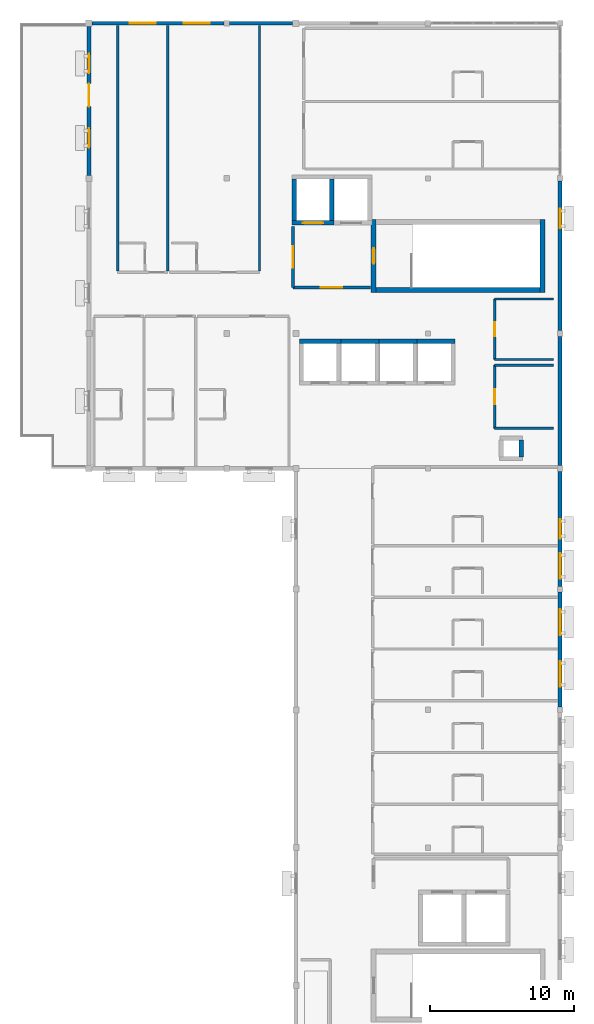
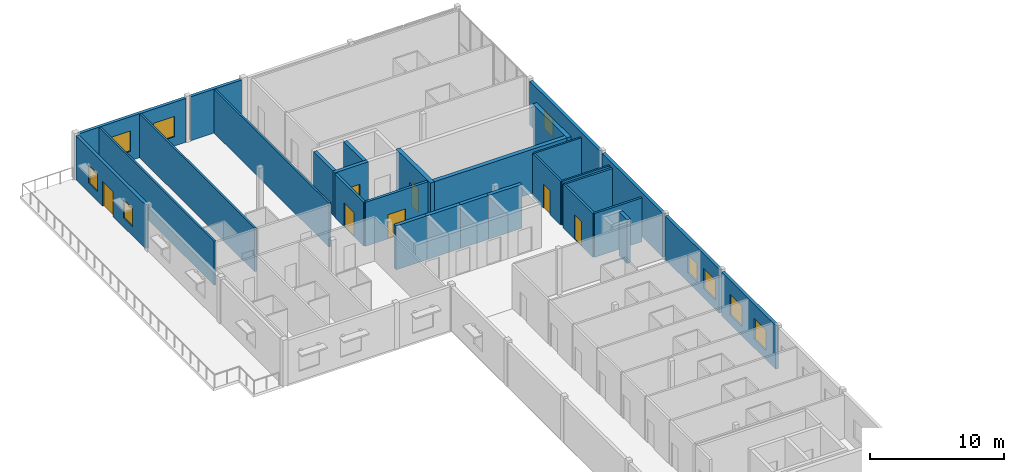
# One storey, part 7 of 9: 29 walls, 9 windows, 7 doors, 16 openings.
"""IFC4 building model written with IfcOpenShell, lengths in metres."""

import ifcopenshell
import ifcopenshell.guid

model = None  # the IFC model being written
_history = None  # IfcOwnerHistory: only IFC2X3 demands one
_inside = {}  # id of a spatial element -> (the spatial element, [elements in it])
_under = {}  # id of a project, library or spatial element -> (it, [spatial elements below it])
_declared = {}  # id of a project -> (the project, [libraries it declares])
_typed = {}  # id of a type object -> (the type object, [elements of that type])
_made_of = {}  # id of a material, layer set ... -> (it, [elements and type objects made of it])


def new_model(schema):
    """Start an empty IFC model of exactly this schema.

    Asked for "IFC4X3", IfcOpenShell would pick the latest addendum, in which some entities
    have other attributes; the version numbers below select the first issue.
    IFC2X3 requires an IfcOwnerHistory on every rooted entity: one is made here for all.
    """
    global model, _history
    if schema == "IFC4X3":
        model = ifcopenshell.file(schema_version=(4, 3, 0, 0))
    else:
        model = ifcopenshell.file(schema=schema)
    _inside.clear()
    _under.clear()
    _declared.clear()
    _typed.clear()
    _made_of.clear()
    _history = None
    if model.schema == "IFC2X3":
        org = make("IfcOrganization", Name="unknown")
        user = make(
            "IfcPersonAndOrganization",
            ThePerson=make("IfcPerson", FamilyName="unknown"),
            TheOrganization=org,
        )
        app = make(
            "IfcApplication",
            ApplicationDeveloper=org,
            Version="unknown",
            ApplicationFullName="unknown",
            ApplicationIdentifier="unknown",
        )
        _history = make(
            "IfcOwnerHistory",
            OwningUser=user,
            OwningApplication=app,
            ChangeAction="ADDED",
            CreationDate=0,
        )
    return model


def make(cls, **values):
    """One entity of the class cls with the attributes given. An attribute that is None is left unset."""
    return model.create_entity(
        cls, **{name: value for name, value in values.items() if value is not None}
    )


def rooted(cls, **values):
    """An entity with a GlobalId (a new one), such as an element, a storey or a relation."""
    return make(cls, GlobalId=ifcopenshell.guid.new(), OwnerHistory=_history, **values)


def si_unit(unit_type, name, prefix=None):
    """IfcSIUnit, for example si_unit("LENGTHUNIT", "METRE", prefix="MILLI")."""
    return make("IfcSIUnit", UnitType=unit_type, Prefix=prefix, Name=name)


def assignment(units):
    """IfcUnitAssignment: the units of a project."""
    return None if units is None else make("IfcUnitAssignment", Units=units)


def point(xyz):
    """IfcCartesianPoint."""
    return None if xyz is None else make("IfcCartesianPoint", Coordinates=xyz)


def direction(xyz):
    """IfcDirection."""
    return None if xyz is None else make("IfcDirection", DirectionRatios=xyz)


def frame(location, z_axis=None, x_axis=None):
    """IfcAxis2Placement3D, a coordinate frame: its origin and axes. An axis left out is left unset."""
    return make(
        "IfcAxis2Placement3D",
        Location=point(location),
        Axis=direction(z_axis),
        RefDirection=direction(x_axis),
    )


def frame_2d(location, x_axis=None):
    """IfcAxis2Placement2D, a coordinate frame in the plane: its origin and x axis."""
    return make(
        "IfcAxis2Placement2D", Location=point(location), RefDirection=direction(x_axis)
    )


def origin():
    """The frame at (0, 0, 0) with its axes left unset."""
    return frame((0.0, 0.0, 0.0))


def place(relative_to, where):
    """IfcLocalPlacement: puts the frame where relative to a parent placement (None: the world)."""
    return make(
        "IfcLocalPlacement", PlacementRelTo=relative_to, RelativePlacement=where
    )


def context(
    kind, dimensions, precision=None, world=None, true_north=None, identifier=None
):
    """IfcGeometricRepresentationContext, for example the 3D "Model" context."""
    return make(
        "IfcGeometricRepresentationContext",
        ContextIdentifier=identifier,
        ContextType=kind,
        CoordinateSpaceDimension=dimensions,
        Precision=precision,
        WorldCoordinateSystem=world,
        TrueNorth=true_north,
    )


def subcontext(parent, identifier, kind, view, scale=None):
    """IfcGeometricRepresentationSubContext, for example "Body" below "Model"."""
    return make(
        "IfcGeometricRepresentationSubContext",
        ContextIdentifier=identifier,
        ContextType=kind,
        ParentContext=parent,
        TargetScale=scale,
        TargetView=view,
    )


def project(units=None, contexts=None):
    """IfcProject with its units and contexts."""
    return rooted(
        "IfcProject",
        Name="project",
        RepresentationContexts=contexts,
        UnitsInContext=assignment(units),
    )


def spatial(cls, under=None, at=None, **own):
    """A site, building, storey or space (cls), placed at a placement, below another one or the project."""
    s = rooted(cls, ObjectPlacement=at, **own)
    if under is not None:
        _under.setdefault(under.id(), (under, []))[1].append(s)
    return s


def profile(cls, at=None, kind="AREA", **sizes):
    """A parametric profile (cls). Its sizes go by their IFC names, for example OverallWidth=200.0."""
    return make(cls, ProfileType=kind, Position=at, **sizes)


def rectangle(**sizes):
    """IfcRectangleProfileDef."""
    return profile("IfcRectangleProfileDef", **sizes)


def extrude(swept, where, along, depth):
    """IfcExtrudedAreaSolid: the profile swept, set in the frame where, extruded along a direction by depth."""
    return make(
        "IfcExtrudedAreaSolid",
        SweptArea=swept,
        Position=where,
        ExtrudedDirection=direction(along),
        Depth=depth,
    )


def shape(context_of_items, identifier, shape_type, items):
    """IfcShapeRepresentation: the items that make up one representation, for example the "Body"."""
    return make(
        "IfcShapeRepresentation",
        ContextOfItems=context_of_items,
        RepresentationIdentifier=identifier,
        RepresentationType=shape_type,
        Items=items,
    )


def material(Name=None, Category=None):
    """IfcMaterial."""
    return make("IfcMaterial", Name=Name, Category=Category)


def layer(
    of_material, thickness, ventilated=None, Name=None, Category=None, Priority=None
):
    """IfcMaterialLayer: one layer of a wall or slab, of a material (None: an air gap)."""
    return make(
        "IfcMaterialLayer",
        Material=of_material,
        LayerThickness=thickness,
        IsVentilated=ventilated,
        Name=Name,
        Category=Category,
        Priority=Priority,
    )


def layer_set(layers, Name=None):
    """IfcMaterialLayerSet."""
    return make("IfcMaterialLayerSet", MaterialLayers=layers, LayerSetName=Name)


def made_of(thing, what):
    """Note that an element or type object is made of a material, layer set ...; save() writes the relation."""
    if what is not None:
        _made_of.setdefault(what.id(), (what, []))[1].append(thing)
    return thing


def type_object(cls, material=None, **own):
    """A type object (cls), such as IfcWallType, which elements share."""
    return made_of(rooted(cls, **own), material)


def element(
    cls,
    number,
    at=None,
    inside=None,
    cuts=None,
    type_object=None,
    material=None,
    context=None,
    identifier="Body",
    shape_type=None,
    held_by="IfcProductDefinitionShape",
    body=None,
    shapes=None,
    **own,
):
    """One element of the class cls, such as IfcWall. Its Tag is "e" and its number.

    at: its placement. inside: the storey or other place that contains it. cuts: it is an
    opening in that element (IfcRelVoidsElement). A single representation is given by context,
    identifier, shape_type and body (its items); several are given by shapes. held_by: the class
    of the entity that holds the representations. save() writes the other relations.
    """
    e = rooted(cls, Tag="e%d" % number, ObjectPlacement=at, **own)
    if body is not None:
        shapes = [shape(context, identifier, shape_type, body)]
    if shapes is not None:
        e.Representation = make(held_by, Representations=shapes)
    if inside is not None:
        _inside.setdefault(inside.id(), (inside, []))[1].append(e)
    if cuts is not None:
        rooted(
            "IfcRelVoidsElement", RelatingBuildingElement=cuts, RelatedOpeningElement=e
        )
    if type_object is not None:
        _typed.setdefault(type_object.id(), (type_object, []))[1].append(e)
    return made_of(e, material)


def fill(opening, filler):
    """IfcRelFillsElement: the door or window that sits in an opening."""
    return rooted(
        "IfcRelFillsElement",
        RelatingOpeningElement=opening,
        RelatedBuildingElement=filler,
    )


def aggregate(whole, parts):
    """IfcRelAggregates: a whole, such as a stair, and the parts it consists of."""
    return rooted("IfcRelAggregates", RelatingObject=whole, RelatedObjects=parts)


def save(model, path):
    """Write the relations noted so far, then the file.

    IfcRelAggregates (storeys below a building ...), IfcRelContainedInSpatialStructure (elements
    in a storey), IfcRelDefinesByType, IfcRelAssociatesMaterial and IfcRelDeclares: one each for
    every whole, place, type object, material and project.
    """
    for whole, parts in _under.values():
        aggregate(whole, parts)
    for where, things in _inside.values():
        rooted(
            "IfcRelContainedInSpatialStructure",
            RelatedElements=things,
            RelatingStructure=where,
        )
    for kind, things in _typed.values():
        rooted("IfcRelDefinesByType", RelatedObjects=things, RelatingType=kind)
    for what, things in _made_of.values():
        rooted("IfcRelAssociatesMaterial", RelatedObjects=things, RelatingMaterial=what)
    for by, libraries in _declared.values():
        rooted("IfcRelDeclares", RelatingContext=by, RelatedDefinitions=libraries)
    model.write(path)


model = new_model("IFC4")

# Units and contexts
model_context = context("Model", 3, precision=1e-05, world=origin(), true_north=direction((0.0, 1.0)))
body_context = subcontext(model_context, "Body", "Model", "MODEL_VIEW")
ifc_project = project(units=[si_unit("LENGTHUNIT", "METRE"), si_unit("AREAUNIT", "SQUARE_METRE"), si_unit("VOLUMEUNIT", "CUBIC_METRE"), si_unit("PLANEANGLEUNIT", "RADIAN"), si_unit("MASSUNIT", "GRAM", prefix="KILO")], contexts=[model_context])

# Site, building, storey
site_placement = place(None, origin())
site = spatial("IfcSite", under=ifc_project, at=site_placement, CompositionType="ELEMENT")
building_placement = place(site_placement, origin())
building = spatial("IfcBuilding", under=site, at=building_placement, Name="Veldera Park Congress Hotel", CompositionType="ELEMENT")
storey_placement = place(building_placement, frame((0.0, 0.0, 46.60009765625)))
storey = spatial("IfcBuildingStorey", under=building, at=storey_placement, Name="L11", CompositionType="ELEMENT", Elevation=46.60009765625)

# Wall, openings, windows
ifc_material_1 = material(Name="Cross-laminated timber CLT V2M1.1", Category="wood")
ifc_layer_1 = layer(ifc_material_1, 0.264892578125)
ifc_layer_set_1 = layer_set([ifc_layer_1], Name="Cross-laminated timber CLT V2M1.1")
wall_type_1 = type_object("IfcWallType", Name="EW-CLT265", PredefinedType="STANDARD", material=ifc_layer_set_1)
wall_1_placement = place(storey_placement, frame((84.0, 10.39306640625, 0.0), z_axis=(0.0, 0.0, 1.0), x_axis=(0.0, 1.0, 0.0)))
wall_1 = element("IfcWall", 1, at=wall_1_placement, inside=storey, type_object=wall_type_1, Name="L11 Exterior Wall EW3-L11-0454", PredefinedType="STANDARD", context=body_context, shape_type="SweptSolid", body=[
    extrude(rectangle(XDim=8.013916015625, YDim=0.264892578125, at=frame_2d((4.0068359375, 0.0))), origin(), (0.0, 0.0, 1.0), 3.989990234375),
])
opening_1_placement = place(wall_1_placement, frame((1.39697265625, 0.0, 0.85009765625)))
opening_1 = element("IfcOpeningElement", 2, at=opening_1_placement, cuts=wall_1, Name="Opening WIN-1800", PredefinedType="OPENING", context=body_context, shape_type="SweptSolid", body=[
    extrude(rectangle(XDim=1.800048828125, YDim=1.85009765625, at=frame_2d((0.89990234375, 0.925048828125))), frame((0.0, 0.14453125, 0.0), z_axis=(0.0, -1.0, 0.0), x_axis=(1.0, 0.0, 0.0)), (0.0, 0.0, 1.0), 0.288818359375),
])
opening_2_placement = place(wall_1_placement, frame((4.9970703125, 0.0, 0.85009765625)))
opening_2 = element("IfcOpeningElement", 3, at=opening_2_placement, cuts=wall_1, Name="Opening WIN-1800", PredefinedType="OPENING", context=body_context, shape_type="SweptSolid", body=[
    extrude(rectangle(XDim=1.800048828125, YDim=1.85009765625, at=frame_2d((0.89990234375, 0.925048828125))), frame((0.0, 0.14453125, 0.0), z_axis=(0.0, -1.0, 0.0), x_axis=(1.0, 0.0, 0.0)), (0.0, 0.0, 1.0), 0.288818359375),
])
ifc_material_2 = material(Name="Low-E Triple Insulating Glass Unit (SHGC 0.22)", Category="glass")
window_type_1 = type_object("IfcWindowType", Name="WIN-1800", PartitioningType="SINGLE_PANEL", PredefinedType="WINDOW", material=ifc_material_2)
window_1_placement = place(opening_1_placement, origin())
window_1 = element("IfcWindow", 4, at=window_1_placement, inside=storey, type_object=window_type_1, Name="L11 Window WIN-1800 599", OverallHeight=1.85009765625, OverallWidth=1.800048828125, PartitioningType="SINGLE_PANEL", PredefinedType="WINDOW", context=body_context, shape_type="SweptSolid", body=[
    extrude(rectangle(XDim=1.800048828125, YDim=1.85009765625, at=frame_2d((0.89990234375, 0.925048828125))), frame((0.0, 0.030029296875, 0.0), z_axis=(0.0, -1.0, 0.0), x_axis=(1.0, 0.0, 0.0)), (0.0, 0.0, 1.0), 0.06005859375),
])
fill(opening_1, window_1)
window_2_placement = place(opening_2_placement, origin())
window_2 = element("IfcWindow", 5, at=window_2_placement, inside=storey, type_object=window_type_1, Name="L11 Window WIN-1800 600", OverallHeight=1.85009765625, OverallWidth=1.800048828125, PartitioningType="SINGLE_PANEL", PredefinedType="WINDOW", context=body_context, shape_type="SweptSolid", body=[
    extrude(rectangle(XDim=1.800048828125, YDim=1.85009765625, at=frame_2d((0.89990234375, 0.925048828125))), frame((0.0, 0.030029296875, 0.0), z_axis=(0.0, -1.0, 0.0), x_axis=(1.0, 0.0, 0.0)), (0.0, 0.0, 1.0), 0.06005859375),
])
fill(opening_2, window_2)

wall_2_placement = place(storey_placement, frame((84.0, 18.79296875, 0.0), z_axis=(0.0, 0.0, 1.0), x_axis=(0.0, 1.0, 0.0)))
wall_2 = element("IfcWall", 6, at=wall_2_placement, inside=storey, type_object=wall_type_1, Name="L11 Exterior Wall EW3-L11-0455", PredefinedType="STANDARD", context=body_context, shape_type="SweptSolid", body=[
    extrude(rectangle(XDim=8.013916015625, YDim=0.264892578125, at=frame_2d((4.0068359375, 0.0))), origin(), (0.0, 0.0, 1.0), 3.989990234375),
])
opening_3_placement = place(wall_2_placement, frame((3.33203125, 0.0, 0.85009765625)))
opening_3 = element("IfcOpeningElement", 7, at=opening_3_placement, cuts=wall_2, Name="Opening WIN-1350", PredefinedType="OPENING", context=body_context, shape_type="SweptSolid", body=[
    extrude(rectangle(XDim=1.35009765625, YDim=1.64990234375, at=frame_2d((0.675048828125, 0.824951171875))), frame((0.0, 0.14453125, 0.0), z_axis=(0.0, -1.0, 0.0), x_axis=(1.0, 0.0, 0.0)), (0.0, 0.0, 1.0), 0.288818359375),
])
opening_4_placement = place(wall_2_placement, frame((0.5185546875, 0.0, 0.85009765625)))
opening_4 = element("IfcOpeningElement", 8, at=opening_4_placement, cuts=wall_2, Name="Opening WIN-1800", PredefinedType="OPENING", context=body_context, shape_type="SweptSolid", body=[
    extrude(rectangle(XDim=1.800048828125, YDim=1.85009765625, at=frame_2d((0.89990234375, 0.925048828125))), frame((0.0, 0.14453125, 0.0), z_axis=(0.0, -1.0, 0.0), x_axis=(1.0, 0.0, 0.0)), (0.0, 0.0, 1.0), 0.288818359375),
])
window_type_2 = type_object("IfcWindowType", Name="WIN-1350", PartitioningType="SINGLE_PANEL", PredefinedType="WINDOW", material=ifc_material_2)
window_3_placement = place(opening_3_placement, origin())
window_3 = element("IfcWindow", 9, at=window_3_placement, inside=storey, type_object=window_type_2, Name="L11 Window WIN-1350 347", OverallHeight=1.64990234375, OverallWidth=1.35009765625, PartitioningType="SINGLE_PANEL", PredefinedType="WINDOW", context=body_context, shape_type="SweptSolid", body=[
    extrude(rectangle(XDim=1.35009765625, YDim=1.64990234375, at=frame_2d((0.675048828125, 0.824951171875))), frame((0.0, 0.030029296875, 0.0), z_axis=(0.0, -1.0, 0.0), x_axis=(1.0, 0.0, 0.0)), (0.0, 0.0, 1.0), 0.06005859375),
])
fill(opening_3, window_3)
window_4_placement = place(opening_4_placement, origin())
window_4 = element("IfcWindow", 10, at=window_4_placement, inside=storey, type_object=window_type_1, Name="L11 Window WIN-1800 601", OverallHeight=1.85009765625, OverallWidth=1.800048828125, PartitioningType="SINGLE_PANEL", PredefinedType="WINDOW", context=body_context, shape_type="SweptSolid", body=[
    extrude(rectangle(XDim=1.800048828125, YDim=1.85009765625, at=frame_2d((0.89990234375, 0.925048828125))), frame((0.0, 0.030029296875, 0.0), z_axis=(0.0, -1.0, 0.0), x_axis=(1.0, 0.0, 0.0)), (0.0, 0.0, 1.0), 0.06005859375),
])
fill(opening_4, window_4)

# Wall
wall_3_placement = place(storey_placement, frame((84.0, 27.193115234375, 0.0), z_axis=(0.0, 0.0, 1.0), x_axis=(0.0, 1.0, 0.0)))
element("IfcWall", 11, at=wall_3_placement, inside=storey, type_object=wall_type_1, Name="L11 Exterior Wall EW3-L11-0456", PredefinedType="STANDARD", context=body_context, shape_type="SweptSolid", body=[
    extrude(rectangle(XDim=9.013916015625, YDim=0.264892578125, at=frame_2d((4.5068359375, 0.0))), origin(), (0.0, 0.0, 1.0), 3.989990234375),
])

# Wall, opening, window
wall_4_placement = place(storey_placement, frame((84.0, 36.593017578125, 0.0), z_axis=(0.0, 0.0, 1.0), x_axis=(0.0, 1.0, 0.0)))
wall_4 = element("IfcWall", 12, at=wall_4_placement, inside=storey, type_object=wall_type_1, Name="L11 Exterior Wall EW3-L11-0457", PredefinedType="STANDARD", context=body_context, shape_type="SweptSolid", body=[
    extrude(rectangle(XDim=10.4140625, YDim=0.264892578125, at=frame_2d((5.20703125, 0.0))), origin(), (0.0, 0.0, 1.0), 3.989990234375),
])
opening_5_placement = place(wall_4_placement, frame((7.135498046875, 0.0, 0.85009765625)))
opening_5 = element("IfcOpeningElement", 13, at=opening_5_placement, cuts=wall_4, Name="Opening WIN-1350", PredefinedType="OPENING", context=body_context, shape_type="SweptSolid", body=[
    extrude(rectangle(XDim=1.35009765625, YDim=1.64990234375, at=frame_2d((0.675048828125, 0.824951171875))), frame((0.0, 0.14453125, 0.0), z_axis=(0.0, -1.0, 0.0), x_axis=(1.0, 0.0, 0.0)), (0.0, 0.0, 1.0), 0.288818359375),
])
window_5_placement = place(opening_5_placement, origin())
window_5 = element("IfcWindow", 14, at=window_5_placement, inside=storey, type_object=window_type_2, Name="L11 Window WIN-1350 348", OverallHeight=1.64990234375, OverallWidth=1.35009765625, PartitioningType="SINGLE_PANEL", PredefinedType="WINDOW", context=body_context, shape_type="SweptSolid", body=[
    extrude(rectangle(XDim=1.35009765625, YDim=1.64990234375, at=frame_2d((0.675048828125, 0.824951171875))), frame((0.0, 0.030029296875, 0.0), z_axis=(0.0, -1.0, 0.0), x_axis=(1.0, 0.0, 0.0)), (0.0, 0.0, 1.0), 0.06005859375),
])
fill(opening_5, window_5)

# Wall
wall_5_placement = place(storey_placement, frame((65.376953125, 58.0, 0.0), z_axis=(0.0, 0.0, 1.0), x_axis=(-1.0, 0.0, 0.0)))
element("IfcWall", 15, at=wall_5_placement, inside=storey, type_object=wall_type_1, Name="L11 Exterior Wall EW3-L11-0459", PredefinedType="STANDARD", context=body_context, shape_type="SweptSolid", body=[
    extrude(rectangle(XDim=4.384033203125, YDim=0.264892578125, at=frame_2d((2.19189453125, 0.0))), origin(), (0.0, 0.0, 1.0), 3.989990234375),
])

# Wall, openings, windows
wall_6_placement = place(storey_placement, frame((60.60693359375, 58.0, 0.0), z_axis=(0.0, 0.0, 1.0), x_axis=(-1.0, 0.0, 0.0)))
wall_6 = element("IfcWall", 16, at=wall_6_placement, inside=storey, type_object=wall_type_1, Name="L11 Exterior Wall EW3-L11-0460", PredefinedType="STANDARD", context=body_context, shape_type="SweptSolid", body=[
    extrude(rectangle(XDim=9.183837890625, YDim=0.264892578125, at=frame_2d((4.591796875, 0.0))), origin(), (0.0, 0.0, 1.0), 3.989990234375),
])
opening_6_placement = place(wall_6_placement, frame((4.76708984375, 0.0, 0.85009765625)))
opening_6 = element("IfcOpeningElement", 17, at=opening_6_placement, cuts=wall_6, Name="Opening WIN-1800", PredefinedType="OPENING", context=body_context, shape_type="SweptSolid", body=[
    extrude(rectangle(XDim=1.800048828125, YDim=1.85009765625, at=frame_2d((0.89990234375, 0.925048828125))), frame((0.0, 0.14453125, 0.0), z_axis=(0.0, -1.0, 0.0), x_axis=(1.0, 0.0, 0.0)), (0.0, 0.0, 1.0), 0.288818359375),
])
opening_7_placement = place(wall_6_placement, frame((1.00341796875, 0.0, 0.85009765625)))
opening_7 = element("IfcOpeningElement", 18, at=opening_7_placement, cuts=wall_6, Name="Opening WIN-1800", PredefinedType="OPENING", context=body_context, shape_type="SweptSolid", body=[
    extrude(rectangle(XDim=1.800048828125, YDim=1.85009765625, at=frame_2d((0.89990234375, 0.925048828125))), frame((0.0, 0.14453125, 0.0), z_axis=(0.0, -1.0, 0.0), x_axis=(1.0, 0.0, 0.0)), (0.0, 0.0, 1.0), 0.288818359375),
])
window_6_placement = place(opening_6_placement, origin())
window_6 = element("IfcWindow", 19, at=window_6_placement, inside=storey, type_object=window_type_1, Name="L11 Window WIN-1800 606", OverallHeight=1.85009765625, OverallWidth=1.800048828125, PartitioningType="SINGLE_PANEL", PredefinedType="WINDOW", context=body_context, shape_type="SweptSolid", body=[
    extrude(rectangle(XDim=1.800048828125, YDim=1.85009765625, at=frame_2d((0.89990234375, 0.925048828125))), frame((0.0, 0.030029296875, 0.0), z_axis=(0.0, -1.0, 0.0), x_axis=(1.0, 0.0, 0.0)), (0.0, 0.0, 1.0), 0.06005859375),
])
fill(opening_6, window_6)
window_7_placement = place(opening_7_placement, origin())
window_7 = element("IfcWindow", 20, at=window_7_placement, inside=storey, type_object=window_type_1, Name="L11 Window WIN-1800 607", OverallHeight=1.85009765625, OverallWidth=1.800048828125, PartitioningType="SINGLE_PANEL", PredefinedType="WINDOW", context=body_context, shape_type="SweptSolid", body=[
    extrude(rectangle(XDim=1.800048828125, YDim=1.85009765625, at=frame_2d((0.89990234375, 0.925048828125))), frame((0.0, 0.030029296875, 0.0), z_axis=(0.0, -1.0, 0.0), x_axis=(1.0, 0.0, 0.0)), (0.0, 0.0, 1.0), 0.06005859375),
])
fill(opening_7, window_7)

# Wall, openings, door, windows
wall_7_placement = place(storey_placement, frame((51.199951171875, 57.777099609375, 0.0), z_axis=(0.0, 0.0, 1.0), x_axis=(0.0, -1.0, 0.0)))
wall_7 = element("IfcWall", 21, at=wall_7_placement, inside=storey, type_object=wall_type_1, Name="L11 Exterior Wall EW3-L11-0461", PredefinedType="STANDARD", context=body_context, shape_type="SweptSolid", body=[
    extrude(rectangle(XDim=10.369140625, YDim=0.264892578125, at=frame_2d((5.1845703125, 0.0))), origin(), (0.0, 0.0, 1.0), 3.989990234375),
])
opening_8_placement = place(wall_7_placement, frame((3.97705078125, 0.0, 0.0)))
opening_8 = element("IfcOpeningElement", 22, at=opening_8_placement, cuts=wall_7, Name="Opening ED-TER160", PredefinedType="OPENING", context=body_context, shape_type="SweptSolid", body=[
    extrude(rectangle(XDim=1.60009765625, YDim=2.25, at=frame_2d((0.800048828125, 1.125))), frame((0.0, 0.14453125, 0.0), z_axis=(0.0, -1.0, 0.0), x_axis=(1.0, 0.0, 0.0)), (0.0, 0.0, 1.0), 0.288818359375),
])
opening_9_placement = place(wall_7_placement, frame((1.917236328125, 0.0, 0.85009765625)))
opening_9 = element("IfcOpeningElement", 23, at=opening_9_placement, cuts=wall_7, Name="Opening WIN-1350", PredefinedType="OPENING", context=body_context, shape_type="SweptSolid", body=[
    extrude(rectangle(XDim=1.35009765625, YDim=1.64990234375, at=frame_2d((0.675048828125, 0.824951171875))), frame((0.0, 0.14453125, 0.0), z_axis=(0.0, -1.0, 0.0), x_axis=(1.0, 0.0, 0.0)), (0.0, 0.0, 1.0), 0.288818359375),
])
opening_10_placement = place(wall_7_placement, frame((7.101806640625, 0.0, 0.85009765625)))
opening_10 = element("IfcOpeningElement", 24, at=opening_10_placement, cuts=wall_7, Name="Opening WIN-1350", PredefinedType="OPENING", context=body_context, shape_type="SweptSolid", body=[
    extrude(rectangle(XDim=1.35009765625, YDim=1.64990234375, at=frame_2d((0.675048828125, 0.824951171875))), frame((0.0, 0.14453125, 0.0), z_axis=(0.0, -1.0, 0.0), x_axis=(1.0, 0.0, 0.0)), (0.0, 0.0, 1.0), 0.288818359375),
])
ifc_material_3 = material(Name="Anodised Aluminium Alloy 6063-T6", Category="aluminium")
door_type_1 = type_object("IfcDoorType", Name="ED-TER160", OperationType="DOUBLE_DOOR_SINGLE_SWING", PredefinedType="DOOR", material=ifc_material_3)
door_1_placement = place(opening_8_placement, frame((1.60009765625, 0.0, 0.0), z_axis=(0.0, 0.0, 1.0), x_axis=(-1.0, 0.0, 0.0)))
door_1 = element("IfcDoor", 25, at=door_1_placement, inside=storey, type_object=door_type_1, Name="Exterior Door TD-L11-NW (DR3-EXT-L11-0031)", OperationType="DOUBLE_DOOR_SINGLE_SWING", OverallHeight=2.25, OverallWidth=1.60009765625, PredefinedType="DOOR", context=body_context, shape_type="SweptSolid", body=[
    extrude(rectangle(XDim=1.60009765625, YDim=2.25, at=frame_2d((0.800048828125, 1.125))), frame((0.0, 0.02490234375, 0.0), z_axis=(0.0, -1.0, 0.0), x_axis=(1.0, 0.0, 0.0)), (0.0, 0.0, 1.0), 0.050048828125),
])
fill(opening_8, door_1)
window_8_placement = place(opening_9_placement, origin())
window_8 = element("IfcWindow", 26, at=window_8_placement, inside=storey, type_object=window_type_2, Name="L11 Window WIN-1350 349", OverallHeight=1.64990234375, OverallWidth=1.35009765625, PartitioningType="SINGLE_PANEL", PredefinedType="WINDOW", context=body_context, shape_type="SweptSolid", body=[
    extrude(rectangle(XDim=1.35009765625, YDim=1.64990234375, at=frame_2d((0.675048828125, 0.824951171875))), frame((0.0, 0.030029296875, 0.0), z_axis=(0.0, -1.0, 0.0), x_axis=(1.0, 0.0, 0.0)), (0.0, 0.0, 1.0), 0.06005859375),
])
fill(opening_9, window_8)
window_9_placement = place(opening_10_placement, origin())
window_9 = element("IfcWindow", 27, at=window_9_placement, inside=storey, type_object=window_type_2, Name="L11 Window WIN-1350 350", OverallHeight=1.64990234375, OverallWidth=1.35009765625, PartitioningType="SINGLE_PANEL", PredefinedType="WINDOW", context=body_context, shape_type="SweptSolid", body=[
    extrude(rectangle(XDim=1.35009765625, YDim=1.64990234375, at=frame_2d((0.675048828125, 0.824951171875))), frame((0.0, 0.030029296875, 0.0), z_axis=(0.0, -1.0, 0.0), x_axis=(1.0, 0.0, 0.0)), (0.0, 0.0, 1.0), 0.06005859375),
])
fill(opening_10, window_9)

# Walls
ifc_material_4 = material(Name="Fire-Rated Gypsum Board on Cold-Formed Steel Studs", Category="steel")
ifc_layer_2 = layer(ifc_material_4, 0.179931640625)
ifc_layer_set_2 = layer_set([ifc_layer_2], Name="Fire-Rated Gypsum Board on Cold-Formed Steel Studs")
wall_type_2 = type_object("IfcWallType", Name="IW-CORR180", PredefinedType="PARTITIONING", material=ifc_layer_set_2)
for number, where, z_axis, x_axis, name in (
    (28, (79.449951171875, 29.800048828125, 0.0), (0.0, 0.0, 1.0), (1.0, 0.0, 0.0), "L11 Partition Wall IW3-L11-00350"),
    (29, (83.550048828125, 34.199951171875, 0.0), (0.0, 0.0, 1.0), (-1.0, 0.0, 0.0), "L11 Partition Wall IW3-L11-00351"),
):
    element("IfcWall", number, at=place(storey_placement, frame(where, z_axis=z_axis, x_axis=x_axis)), inside=storey, type_object=wall_type_2, Name=name, PredefinedType="PARTITIONING", context=body_context, shape_type="SweptSolid", body=[
        extrude(rectangle(XDim=4.10009765625, YDim=0.179931640625, at=frame_2d((2.050048828125, 0.0))), origin(), (0.0, 0.0, 1.0), 3.989990234375),
    ])

# Wall, opening, door
wall_8_placement = place(storey_placement, frame((79.449951171875, 34.199951171875, 0.0), z_axis=(0.0, 0.0, 1.0), x_axis=(0.0, -1.0, 0.0)))
wall_8 = element("IfcWall", 30, at=wall_8_placement, inside=storey, type_object=wall_type_2, Name="L11 Partition Wall IW3-L11-00352", PredefinedType="PARTITIONING", context=body_context, shape_type="SweptSolid", body=[
    extrude(rectangle(XDim=4.39990234375, YDim=0.179931640625, at=frame_2d((2.199951171875, 0.0))), origin(), (0.0, 0.0, 1.0), 3.989990234375),
])
opening_11_placement = place(wall_8_placement, frame((1.675048828125, 0.0, 0.0)))
opening_11 = element("IfcOpeningElement", 31, at=opening_11_placement, cuts=wall_8, Name="Opening ID-MEET105", PredefinedType="OPENING", context=body_context, shape_type="SweptSolid", body=[
    extrude(rectangle(XDim=1.050048828125, YDim=2.199951171875, at=frame_2d((0.52490234375, 1.10009765625))), frame((0.0, 0.10205078125, 0.0), z_axis=(0.0, -1.0, 0.0), x_axis=(1.0, 0.0, 0.0)), (0.0, 0.0, 1.0), 0.203857421875),
])
ifc_material_5 = material(Name="Solid Core White Oak Architectural Door", Category="wood")
door_type_2 = type_object("IfcDoorType", Name="ID-MEET105", OperationType="NOTDEFINED", PredefinedType="DOOR", material=ifc_material_5)
door_2_placement = place(opening_11_placement, origin())
door_2 = element("IfcDoor", 32, at=door_2_placement, inside=storey, type_object=door_type_2, Name="L11 L11 Housekeeping and Linen Store Door ID3-L11-0134 (DR3-ID3-L11-0134)", OperationType="SINGLE_SWING_LEFT", OverallHeight=2.199951171875, OverallWidth=1.050048828125, PredefinedType="DOOR", context=body_context, shape_type="SweptSolid", body=[
    extrude(rectangle(XDim=1.050048828125, YDim=2.199951171875, at=frame_2d((0.52490234375, 1.10009765625))), frame((0.0, 0.02490234375, 0.0), z_axis=(0.0, -1.0, 0.0), x_axis=(1.0, 0.0, 0.0)), (0.0, 0.0, 1.0), 0.050048828125),
])
fill(opening_11, door_2)

ifc_material_6 = material(Name="Concrete f'c 40 MPa (5,800 psi)", Category="concrete")
ifc_layer_3 = layer(ifc_material_6, 0.219970703125)
ifc_layer_set_3 = layer_set([ifc_layer_3], Name="Concrete f'c 40 MPa (5,800 psi)")
wall_type_3 = type_object("IfcWallType", Name="IW-FIRE220", PredefinedType="STANDARD", material=ifc_layer_set_3)
wall_9_placement = place(storey_placement, frame((65.39990234375, 39.60009765625, 0.0), z_axis=(0.0, 0.0, 1.0), x_axis=(1.0, 0.0, 0.0)))
wall_9 = element("IfcWall", 33, at=wall_9_placement, inside=storey, type_object=wall_type_3, Name="L11 Partition Wall IW3-L11-00345", PredefinedType="STANDARD", context=body_context, shape_type="SweptSolid", body=[
    extrude(rectangle(XDim=5.400146484375, YDim=0.219970703125, at=frame_2d((2.7001953125, 0.0))), origin(), (0.0, 0.0, 1.0), 3.989990234375),
])
opening_12_placement = place(wall_9_placement, frame((1.949951171875, 0.0, 0.0)))
opening_12 = element("IfcOpeningElement", 34, at=opening_12_placement, cuts=wall_9, Name="Opening ID-LOB150", PredefinedType="OPENING", context=body_context, shape_type="SweptSolid", body=[
    extrude(rectangle(XDim=1.5, YDim=2.199951171875, at=frame_2d((0.75, 1.10009765625))), frame((0.0, 0.1220703125, 0.0), z_axis=(0.0, -1.0, 0.0), x_axis=(1.0, 0.0, 0.0)), (0.0, 0.0, 1.0), 0.243896484375),
])
ifc_material_7 = material(Name="Hollow Metal Fire-Rated Steel Door", Category="steel")
door_type_3 = type_object("IfcDoorType", Name="ID-LOB150", OperationType="DOUBLE_DOOR_SINGLE_SWING", PredefinedType="DOOR", material=ifc_material_7)
door_3_placement = place(opening_12_placement, origin())
door_3 = element("IfcDoor", 35, at=door_3_placement, inside=storey, type_object=door_type_3, Name="L11 Firefighting Lobby Door ID3-L11-0131 (DR3-ID3-L11-0131)", OperationType="DOUBLE_DOOR_SINGLE_SWING", OverallHeight=2.199951171875, OverallWidth=1.5, PredefinedType="DOOR", context=body_context, shape_type="SweptSolid", body=[
    extrude(rectangle(XDim=1.5, YDim=2.199951171875, at=frame_2d((0.75, 1.10009765625))), frame((0.0, 0.02490234375, 0.0), z_axis=(0.0, -1.0, 0.0), x_axis=(1.0, 0.0, 0.0)), (0.0, 0.0, 1.0), 0.050048828125),
])
fill(opening_12, door_3)

wall_10_placement = place(storey_placement, frame((65.39990234375, 43.85009765625, 0.0), z_axis=(0.0, 0.0, 1.0), x_axis=(0.0, -1.0, 0.0)))
wall_10 = element("IfcWall", 36, at=wall_10_placement, inside=storey, type_object=wall_type_3, Name="L11 Partition Wall IW3-L11-00346", PredefinedType="STANDARD", context=body_context, shape_type="SweptSolid", body=[
    extrude(rectangle(XDim=4.25, YDim=0.219970703125, at=frame_2d((2.125, 0.0))), origin(), (0.0, 0.0, 1.0), 3.989990234375),
])
opening_13_placement = place(wall_10_placement, frame((1.375, 0.0, 0.0)))
opening_13 = element("IfcOpeningElement", 37, at=opening_13_placement, cuts=wall_10, Name="Opening ID-LOB150", PredefinedType="OPENING", context=body_context, shape_type="SweptSolid", body=[
    extrude(rectangle(XDim=1.5, YDim=2.199951171875, at=frame_2d((0.75, 1.10009765625))), frame((0.0, 0.1220703125, 0.0), z_axis=(0.0, -1.0, 0.0), x_axis=(1.0, 0.0, 0.0)), (0.0, 0.0, 1.0), 0.243896484375),
])
door_4_placement = place(opening_13_placement, origin())
door_4 = element("IfcDoor", 38, at=door_4_placement, inside=storey, type_object=door_type_3, Name="L11 Firefighting Lobby Door ID3-L11-0132 (DR3-ID3-L11-0132)", OperationType="DOUBLE_DOOR_SINGLE_SWING", OverallHeight=2.199951171875, OverallWidth=1.5, PredefinedType="DOOR", context=body_context, shape_type="SweptSolid", body=[
    extrude(rectangle(XDim=1.5, YDim=2.199951171875, at=frame_2d((0.75, 1.10009765625))), frame((0.0, 0.02490234375, 0.0), z_axis=(0.0, -1.0, 0.0), x_axis=(1.0, 0.0, 0.0)), (0.0, 0.0, 1.0), 0.050048828125),
])
fill(opening_13, door_4)

# Walls
ifc_layer_4 = layer(ifc_material_4, 0.14990234375)
ifc_layer_set_4 = layer_set([ifc_layer_4], Name="Fire-Rated Gypsum Board on Cold-Formed Steel Studs")
wall_type_4 = type_object("IfcWallType", Name="IW-PLMB150", PredefinedType="PLUMBINGWALL", material=ifc_layer_set_4)
for number, where, z_axis, x_axis, name in (
    (39, (79.449951171875, 34.60009765625, 0.0), (0.0, 0.0, 1.0), (1.0, 0.0, 0.0), "L11 Partition Wall IW3-L11-00353"),
    (40, (83.550048828125, 38.800048828125, 0.0), (0.0, 0.0, 1.0), (-1.0, 0.0, 0.0), "L11 Partition Wall IW3-L11-00354"),
):
    element("IfcWall", number, at=place(storey_placement, frame(where, z_axis=z_axis, x_axis=x_axis)), inside=storey, type_object=wall_type_4, Name=name, PredefinedType="PLUMBINGWALL", context=body_context, shape_type="SweptSolid", body=[
        extrude(rectangle(XDim=4.10009765625, YDim=0.14990234375, at=frame_2d((2.050048828125, 0.0))), origin(), (0.0, 0.0, 1.0), 3.989990234375),
    ])

# Wall, opening, door
wall_11_placement = place(storey_placement, frame((79.449951171875, 38.800048828125, 0.0), z_axis=(0.0, 0.0, 1.0), x_axis=(0.0, -1.0, 0.0)))
wall_11 = element("IfcWall", 41, at=wall_11_placement, inside=storey, type_object=wall_type_4, Name="L11 Partition Wall IW3-L11-00355", PredefinedType="PLUMBINGWALL", context=body_context, shape_type="SweptSolid", body=[
    extrude(rectangle(XDim=4.199951171875, YDim=0.14990234375, at=frame_2d((2.10009765625, 0.0))), origin(), (0.0, 0.0, 1.0), 3.989990234375),
])
opening_14_placement = place(wall_11_placement, frame((1.625, 0.0, 0.0)))
opening_14 = element("IfcOpeningElement", 42, at=opening_14_placement, cuts=wall_11, Name="Opening ID-WC095", PredefinedType="OPENING", context=body_context, shape_type="SweptSolid", body=[
    extrude(rectangle(XDim=0.949951171875, YDim=2.14990234375, at=frame_2d((0.47509765625, 1.074951171875))), frame((0.0, 0.0869140625, 0.0), z_axis=(0.0, -1.0, 0.0), x_axis=(1.0, 0.0, 0.0)), (0.0, 0.0, 1.0), 0.173828125),
])
door_type_4 = type_object("IfcDoorType", Name="ID-WC095", OperationType="NOTDEFINED", PredefinedType="DOOR", material=ifc_material_5)
door_5_placement = place(opening_14_placement, origin())
door_5 = element("IfcDoor", 43, at=door_5_placement, inside=storey, type_object=door_type_4, Name="L11 L11 Public Accessible WC Door ID3-L11-0135 (DR3-ID3-L11-0135)", OperationType="SINGLE_SWING_RIGHT", OverallHeight=2.14990234375, OverallWidth=0.949951171875, PredefinedType="DOOR", context=body_context, shape_type="SweptSolid", body=[
    extrude(rectangle(XDim=0.949951171875, YDim=2.14990234375, at=frame_2d((0.47509765625, 1.074951171875))), frame((0.0, 0.02490234375, 0.0), z_axis=(0.0, -1.0, 0.0), x_axis=(1.0, 0.0, 0.0)), (0.0, 0.0, 1.0), 0.050048828125),
])
fill(opening_14, door_5)

# Walls
ifc_layer_5 = layer(ifc_material_1, 0.159912109375)
ifc_layer_set_5 = layer_set([ifc_layer_5], Name="Cross-laminated timber CLT V2M1.1")
wall_type_5 = type_object("IfcWallType", Name="IW-UNIT160", PredefinedType="PARTITIONING", material=ifc_layer_set_5)
for number, where, z_axis, x_axis, name in (
    (44, (53.199951171875, 40.75, 0.0), (0.0, 0.0, 1.0), (0.0, 1.0, 0.0), "L11 Partition Wall IW3-L11-01864"),
    (45, (56.679931640625, 40.75, 0.0), (0.0, 0.0, 1.0), (0.0, 1.0, 0.0), "L11 Partition Wall IW3-L11-01865"),
    (46, (63.080078125, 40.75, 0.0), (0.0, 0.0, 1.0), (0.0, 1.0, 0.0), "L11 Partition Wall IW3-L11-01869"),
):
    element("IfcWall", number, at=place(storey_placement, frame(where, z_axis=z_axis, x_axis=x_axis)), inside=storey, type_object=wall_type_5, Name=name, PredefinedType="PARTITIONING", context=body_context, shape_type="SweptSolid", body=[
        extrude(rectangle(XDim=17.090087890625, YDim=0.159912109375, at=frame_2d((8.544921875, 0.0))), origin(), (0.0, 0.0, 1.0), 3.989990234375),
    ])
ifc_layer_6 = layer(ifc_material_6, 0.35009765625)
ifc_layer_set_6 = layer_set([ifc_layer_6], Name="Concrete f'c 40 MPa (5,800 psi)")
wall_type_6 = type_object("IfcWallType", Name="SW-CORE350", PredefinedType="SHEAR", material=ifc_layer_set_6)
wall_12_placement = place(storey_placement, frame((70.85009765625, 39.425048828125, 0.0), z_axis=(0.0, 0.0, 1.0), x_axis=(1.0, 0.0, 0.0)))
element("IfcWall", 47, at=wall_12_placement, inside=storey, type_object=wall_type_6, Name="Stair ST1 Core Wall L11-S", PredefinedType="SHEAR", context=body_context, shape_type="SweptSolid", body=[
    extrude(rectangle(XDim=12.099853515625, YDim=0.35009765625, at=frame_2d((6.0498046875, 0.0))), origin(), (0.0, 0.0, 1.0), 3.989990234375),
])
wall_13_placement = place(storey_placement, frame((82.77490234375, 39.25, 0.0), z_axis=(0.0, 0.0, 1.0), x_axis=(0.0, 1.0, 0.0)))
element("IfcWall", 48, at=wall_13_placement, inside=storey, type_object=wall_type_6, Name="Stair ST1 Core Wall L11-E", PredefinedType="SHEAR", context=body_context, shape_type="SweptSolid", body=[
    extrude(rectangle(XDim=5.10009765625, YDim=0.35009765625, at=frame_2d((2.550048828125, 0.0))), origin(), (0.0, 0.0, 1.0), 3.989990234375),
])

# Wall, opening, door
wall_14_placement = place(storey_placement, frame((71.02490234375, 44.35009765625, 0.0), z_axis=(0.0, 0.0, 1.0), x_axis=(0.0, -1.0, 0.0)))
wall_14 = element("IfcWall", 49, at=wall_14_placement, inside=storey, type_object=wall_type_6, Name="Stair ST1 Core Wall L11-W", PredefinedType="SHEAR", context=body_context, shape_type="SweptSolid", body=[
    extrude(rectangle(XDim=5.10009765625, YDim=0.35009765625, at=frame_2d((2.550048828125, 0.0))), origin(), (0.0, 0.0, 1.0), 3.989990234375),
])
opening_15_placement = place(wall_14_placement, frame((2.0, 0.0, 0.0)))
opening_15 = element("IfcOpeningElement", 50, at=opening_15_placement, cuts=wall_14, Name="Opening ID-STAIR110", PredefinedType="OPENING", context=body_context, shape_type="SweptSolid", body=[
    extrude(rectangle(XDim=1.10009765625, YDim=2.199951171875, at=frame_2d((0.550048828125, 1.10009765625))), frame((0.0, 0.18701171875, 0.0), z_axis=(0.0, -1.0, 0.0), x_axis=(1.0, 0.0, 0.0)), (0.0, 0.0, 1.0), 0.3740234375),
])
door_type_5 = type_object("IfcDoorType", Name="ID-STAIR110", OperationType="NOTDEFINED", PredefinedType="DOOR", material=ifc_material_7)
door_6_placement = place(opening_15_placement, origin())
door_6 = element("IfcDoor", 51, at=door_6_placement, inside=storey, type_object=door_type_5, Name="L11 Stair ST1 Fire Door (DR3-SD-ST1-L11)", OperationType="SINGLE_SWING_LEFT", OverallHeight=2.199951171875, OverallWidth=1.10009765625, PredefinedType="DOOR", context=body_context, shape_type="SweptSolid", body=[
    extrude(rectangle(XDim=1.10009765625, YDim=2.199951171875, at=frame_2d((0.550048828125, 1.10009765625))), frame((0.0, 0.02490234375, 0.0), z_axis=(0.0, -1.0, 0.0), x_axis=(1.0, 0.0, 0.0)), (0.0, 0.0, 1.0), 0.050048828125),
])
fill(opening_15, door_6)

# Wall
ifc_layer_7 = layer(ifc_material_6, 0.300048828125)
ifc_layer_set_7 = layer_set([ifc_layer_7], Name="Concrete f'c 40 MPa (5,800 psi)")
wall_type_7 = type_object("IfcWallType", Name="SW-SHFT300", PredefinedType="SHEAR", material=ifc_layer_set_7)
wall_15_placement = place(storey_placement, frame((81.300048828125, 27.800048828125, 0.0), z_axis=(0.0, 0.0, 1.0), x_axis=(0.0, 1.0, 0.0)))
element("IfcWall", 52, at=wall_15_placement, inside=storey, type_object=wall_type_7, Name="MEP Riser Shaft Wall L11-E", PredefinedType="SHEAR", context=body_context, shape_type="SweptSolid", body=[
    extrude(rectangle(XDim=1.199951171875, YDim=0.300048828125, at=frame_2d((0.60009765625, 0.0))), origin(), (0.0, 0.0, 1.0), 3.989990234375),
])

# Wall, opening, door
wall_16_placement = place(storey_placement, frame((65.35009765625, 44.10009765625, 0.0), z_axis=(0.0, 0.0, 1.0), x_axis=(1.0, 0.0, 0.0)))
wall_16 = element("IfcWall", 53, at=wall_16_placement, inside=storey, type_object=wall_type_7, Name="Lift FL-01 Shaft Wall L11-S", PredefinedType="SHEAR", context=body_context, shape_type="SweptSolid", body=[
    extrude(rectangle(XDim=2.89990234375, YDim=0.300048828125, at=frame_2d((1.449951171875, 0.0))), origin(), (0.0, 0.0, 1.0), 3.989990234375),
])
opening_16_placement = place(wall_16_placement, frame((0.75, 0.0, 0.0)))
opening_16 = element("IfcOpeningElement", 54, at=opening_16_placement, cuts=wall_16, Name="Opening LD-140", PredefinedType="OPENING", context=body_context, shape_type="SweptSolid", body=[
    extrude(rectangle(XDim=1.39990234375, YDim=2.199951171875, at=frame_2d((0.699951171875, 1.10009765625))), frame((0.0, 0.162109375, 0.0), z_axis=(0.0, -1.0, 0.0), x_axis=(1.0, 0.0, 0.0)), (0.0, 0.0, 1.0), 0.323974609375),
])
door_type_6 = type_object("IfcDoorType", Name="LD-140", OperationType="DOUBLE_DOOR_SLIDING", PredefinedType="DOOR", material=ifc_material_7)
door_7_placement = place(opening_16_placement, origin())
door_7 = element("IfcDoor", 55, at=door_7_placement, inside=storey, type_object=door_type_6, Name="L11 Lift FL-01 Landing Door (DR3-LD-FL-01-L11)", OperationType="DOUBLE_DOOR_SLIDING", OverallHeight=2.199951171875, OverallWidth=1.39990234375, PredefinedType="DOOR", context=body_context, shape_type="SweptSolid", body=[
    extrude(rectangle(XDim=1.39990234375, YDim=2.199951171875, at=frame_2d((0.699951171875, 1.10009765625))), frame((0.0, 0.02490234375, 0.0), z_axis=(0.0, -1.0, 0.0), x_axis=(1.0, 0.0, 0.0)), (0.0, 0.0, 1.0), 0.050048828125),
])
fill(opening_16, door_7)

# Walls
for number, where, z_axis, x_axis, name in (
    (56, (68.10009765625, 44.25, 0.0), (0.0, 0.0, 1.0), (0.0, 1.0, 0.0), "Lift FL-01 Shaft Wall L11-E"),
    (57, (65.5, 47.14990234375, 0.0), (0.0, 0.0, 1.0), (0.0, -1.0, 0.0), "Lift FL-01 Shaft Wall L11-W"),
    (58, (68.75, 35.85009765625, 0.0), (0.0, 0.0, 1.0), (-1.0, 0.0, 0.0), "Lift PL-01 Shaft Wall L11-N"),
    (59, (71.39990234375, 35.85009765625, 0.0), (0.0, 0.0, 1.0), (-1.0, 0.0, 0.0), "Lift PL-02 Shaft Wall L11-N"),
):
    element("IfcWall", number, at=place(storey_placement, frame(where, z_axis=z_axis, x_axis=x_axis)), inside=storey, type_object=wall_type_7, Name=name, PredefinedType="SHEAR", context=body_context, shape_type="SweptSolid", body=[
        extrude(rectangle(XDim=2.89990234375, YDim=0.300048828125, at=frame_2d((1.449951171875, 0.0))), origin(), (0.0, 0.0, 1.0), 3.989990234375),
    ])
wall_17_placement = place(storey_placement, frame((74.050048828125, 35.85009765625, 0.0), z_axis=(0.0, 0.0, 1.0), x_axis=(-1.0, 0.0, 0.0)))
element("IfcWall", 60, at=wall_17_placement, inside=storey, type_object=wall_type_7, Name="Lift PL-03 Shaft Wall L11-N", PredefinedType="SHEAR", context=body_context, shape_type="SweptSolid", body=[
    extrude(rectangle(XDim=2.900146484375, YDim=0.300048828125, at=frame_2d((1.4501953125, 0.0))), origin(), (0.0, 0.0, 1.0), 3.989990234375),
])
wall_18_placement = place(storey_placement, frame((76.699951171875, 35.85009765625, 0.0), z_axis=(0.0, 0.0, 1.0), x_axis=(-1.0, 0.0, 0.0)))
element("IfcWall", 61, at=wall_18_placement, inside=storey, type_object=wall_type_7, Name="Lift PL-04 Shaft Wall L11-N", PredefinedType="SHEAR", context=body_context, shape_type="SweptSolid", body=[
    extrude(rectangle(XDim=2.89990234375, YDim=0.300048828125, at=frame_2d((1.449951171875, 0.0))), origin(), (0.0, 0.0, 1.0), 3.989990234375),
])

save(model, "model.ifc")
